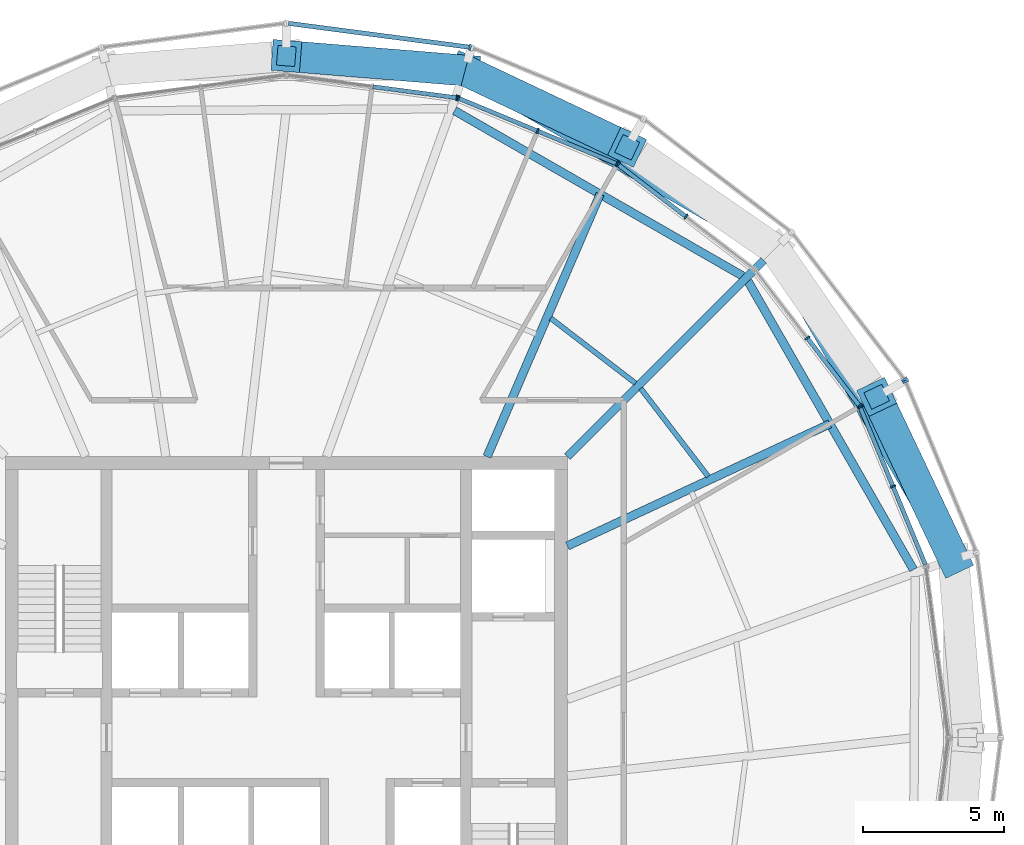
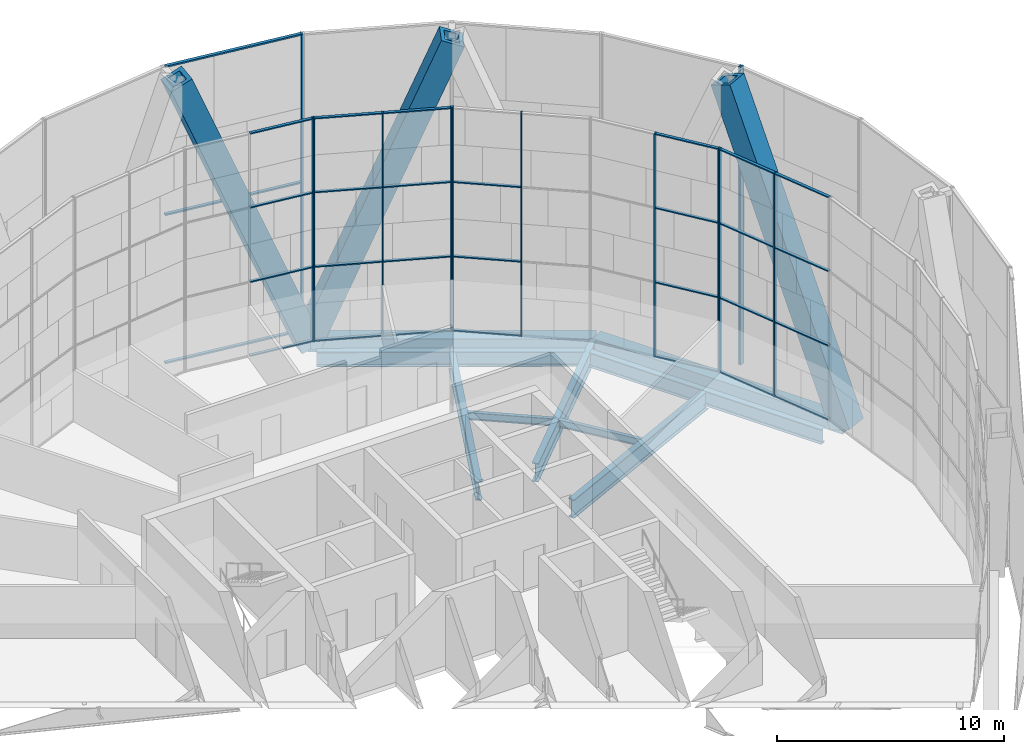
# One storey, part 9 of 26: 46 members, 9 beams, 8 elements without a shape of their own.
"""IFC4 building model written with IfcOpenShell, lengths in metres."""

from ifc_helpers import new_model, si_unit, direction, frame, origin, origin_2d, place, context, subcontext, project, spatial, rectangle, hollow_rectangle, i_section, extrude, material, material_profile, profile_set, type_object, element, aggregate, save


model = new_model("IFC4")

# Units and contexts
model_context = context("Model", 3, precision=1e-05, world=origin(), true_north=direction((0.0, 1.0)))
body_context = subcontext(model_context, "Body", "Model", "MODEL_VIEW")
ifc_project = project(units=[si_unit("LENGTHUNIT", "METRE"), si_unit("AREAUNIT", "SQUARE_METRE"), si_unit("VOLUMEUNIT", "CUBIC_METRE"), si_unit("PLANEANGLEUNIT", "RADIAN"), si_unit("MASSUNIT", "GRAM", prefix="KILO")], contexts=[model_context])

# Site, building, storey
site_placement = place(None, origin())
site = spatial("IfcSite", under=ifc_project, at=site_placement, CompositionType="ELEMENT")
building_placement = place(site_placement, origin())
building = spatial("IfcBuilding", under=site, at=building_placement, Name="Golbaran Civic Tower", CompositionType="ELEMENT")
storey_placement = place(building_placement, frame((0.0, 0.0, 199.0)))
storey = spatial("IfcBuildingStorey", under=building, at=storey_placement, Name="L48", CompositionType="ELEMENT", Elevation=199.0)

# Members
ifc_material_1 = material(Name="Steel S355", Category="steel")
ifc_material_profile_1 = material_profile(ifc_material_1, hollow_rectangle(XDim=1.10009765625, YDim=1.10009765625, WallThickness=0.199951171875, at=origin_2d()), Name="BOX 1100x1100x200")
ifc_profile_set_1 = profile_set([ifc_material_profile_1], Name="Steel S355")
member_type_1 = type_object("IfcMemberType", Name="DIAGRID DIAGONAL BOX 1100x1100x200", PredefinedType="BRACE", material=ifc_profile_set_1)
for number, where, z_axis, x_axis, name in (
    (1, (23.740478515625, 6.361328125, -0.7099609375), (-0.158722749986, 0.334764832099, 0.92883776615), (-0.903581210236, -0.428416849002, 0.0), "Diagonal D11-00R L48-L52"),
    (2, (6.361328125, 23.740478515625, -0.7099609375), (-0.369288121894, 0.029933086945, 0.928832758538), (-0.080791217773, -0.996731046537, 0.0), "Diagonal D11-02R L48-L52"),
    (3, (6.361328125, 23.740478515625, -0.7099609375), (0.334764832099, -0.158722749986, 0.92883776615), (0.428416849002, 0.903581210236, 0.0), "Diagonal D11-02L L48-L52"),
):
    element("IfcMember", number, at=place(storey_placement, frame(where, z_axis=z_axis, x_axis=x_axis)), inside=storey, type_object=member_type_1, Name=name, PredefinedType="BRACE", context=body_context, shape_type="SweptSolid", body=[
        extrude(hollow_rectangle(XDim=1.10009765625, YDim=1.10009765625, WallThickness=0.199951171875, at=origin_2d()), origin(), (0.0, 0.0, 1.0), 17.225830078125),
    ])

# Beams
ifc_material_profile_2 = material_profile(ifc_material_1, hollow_rectangle(XDim=0.699951171875, YDim=0.699951171875, WallThickness=0.080078125, at=origin_2d()), Name="BOX 700x700x80")
ifc_profile_set_2 = profile_set([ifc_material_profile_2], Name="Steel S355")
beam_type_1 = type_object("IfcBeamType", Name="DIAGRID RING TIE BOX 700x700x80", PredefinedType="BEAM", material=ifc_profile_set_2)
for number, where, z_axis, x_axis, name in (
    (4, (23.740478515625, 6.361328125, -0.7099609375), (-0.500010933886, 0.86601909101, 0.0), (-0.86601909101, -0.500010933886, 0.0), "Ring tie 15.00 L48"),
    (5, (17.379150390625, 17.379150390625, -0.7099609375), (-0.86601909101, 0.500010933886, 0.0), (-0.500010933886, -0.86601909101, 0.0), "Ring tie 45.00 L48"),
):
    element("IfcBeam", number, at=place(storey_placement, frame(where, z_axis=z_axis, x_axis=x_axis)), inside=storey, type_object=beam_type_1, Name=name, PredefinedType="BEAM", context=body_context, shape_type="SweptSolid", body=[
        extrude(hollow_rectangle(XDim=0.699951171875, YDim=0.699951171875, WallThickness=0.080078125, at=origin_2d()), origin(), (0.0, 0.0, 1.0), 12.722412109375),
    ])
ifc_material_profile_3 = material_profile(ifc_material_1, i_section(OverallWidth=0.300048828125, OverallDepth=0.800048828125, WebThickness=0.017578125, FlangeThickness=0.032958984375, FilletRadius=0.030029296875, at=origin_2d()), Name="HEB 800")
ifc_profile_set_3 = profile_set([ifc_material_profile_3], Name="Steel S355")
beam_type_2 = type_object("IfcBeamType", Name="EDGE BEAM HEB 800", PredefinedType="BEAM", material=ifc_profile_set_3)
beam_1_placement = place(storey_placement, frame((22.313720703125, 5.980712890625, -0.60009765625), z_axis=(-0.497642733506, 0.867382101377, 0.0), x_axis=(-0.867382101377, -0.497642733506, 0.0)))
element("IfcBeam", 6, at=beam_1_placement, inside=storey, type_object=beam_type_2, Name="Edge beam 15.00 L48", PredefinedType="BEAM", context=body_context, shape_type="SweptSolid", body=[
    extrude(i_section(OverallWidth=0.300048828125, OverallDepth=0.800048828125, WebThickness=0.017578125, FlangeThickness=0.032958984375, FilletRadius=0.030029296875, at=origin_2d()), origin(), (0.0, 0.0, 1.0), 11.83056640625),
])
beam_2_placement = place(storey_placement, frame((16.242431640625, 16.42626953125, -0.60009765625), z_axis=(-0.867321764975, 0.497747883975, 0.0), x_axis=(-0.497747883975, -0.867321764975, 0.0)))
element("IfcBeam", 7, at=beam_2_placement, inside=storey, type_object=beam_type_2, Name="Edge beam 45.00 L48", PredefinedType="BEAM", context=body_context, shape_type="SweptSolid", body=[
    extrude(i_section(OverallWidth=0.300048828125, OverallDepth=0.800048828125, WebThickness=0.017578125, FlangeThickness=0.032958984375, FilletRadius=0.030029296875, at=origin_2d()), origin(), (0.0, 0.0, 1.0), 11.82470703125),
])
ifc_material_profile_4 = material_profile(ifc_material_1, i_section(OverallWidth=0.179931640625, OverallDepth=0.39990234375, WebThickness=0.008544921875, FlangeThickness=0.013427734375, FilletRadius=0.02099609375, at=origin_2d()), Name="IPE 400")
ifc_profile_set_4 = profile_set([ifc_material_profile_4], Name="Steel S355")
beam_type_3 = type_object("IfcBeamType", Name="FLOOR INFILL BEAM IPE 400", PredefinedType="BEAM", material=ifc_profile_set_4)
beam_3_placement = place(storey_placement, frame((15.01123046875, 9.295654296875, -0.39990234375), z_axis=(-0.608726401363, 0.79338021672, 0.0), x_axis=(-0.79338021672, -0.608726401363, 0.0)))
element("IfcBeam", 8, at=beam_3_placement, inside=storey, type_object=beam_type_3, Name="Infill beam 37.50 L48", PredefinedType="BEAM", context=body_context, shape_type="SweptSolid", body=[
    extrude(i_section(OverallWidth=0.179931640625, OverallDepth=0.39990234375, WebThickness=0.008544921875, FlangeThickness=0.013427734375, FilletRadius=0.02099609375, at=origin_2d()), origin(), (0.0, 0.0, 1.0), 3.9453125),
])
beam_4_placement = place(storey_placement, frame((12.42578125, 12.609619140625, -0.39990234375), z_axis=(-0.793338867189, 0.608780290258, 0.0), x_axis=(-0.608780290258, -0.793338867189, 0.0)))
element("IfcBeam", 9, at=beam_4_placement, inside=storey, type_object=beam_type_3, Name="Infill beam 52.50 L48", PredefinedType="BEAM", context=body_context, shape_type="SweptSolid", body=[
    extrude(i_section(OverallWidth=0.179931640625, OverallDepth=0.39990234375, WebThickness=0.008544921875, FlangeThickness=0.013427734375, FilletRadius=0.02099609375, at=origin_2d()), origin(), (0.0, 0.0, 1.0), 3.805908203125),
])

# Curtain wall, members
ifc_material_2 = material(Name="Aluminium and glass", Category="aluminium")
curtain_wall_type_1 = type_object("IfcCurtainWallType", Name="INNER SKIN CURTAIN WALL EXECUTIVE", PredefinedType="NOTDEFINED", material=ifc_material_2)
curtain_wall_1_placement = place(storey_placement, origin())
curtain_wall_1 = element("IfcCurtainWall", 10, at=curtain_wall_1_placement, inside=storey, type_object=curtain_wall_type_1, Name="Inner skin L48 facet 2 CW2", ObjectType="INNER SKIN", PredefinedType="USERDEFINED")
ifc_material_3 = material(Name="Aluminium", Category="aluminium")
ifc_material_profile_5 = material_profile(ifc_material_3, rectangle(XDim=0.199951171875, YDim=0.06005859375, at=origin_2d()), Name="INNER SKIN CURTAIN WALL EXECUTIVE MULLION")
ifc_profile_set_5 = profile_set([ifc_material_profile_5], Name="Aluminium")
member_type_2 = type_object("IfcMemberType", Name="INNER SKIN CURTAIN WALL EXECUTIVE MULLION", PredefinedType="MULLION", material=ifc_profile_set_5)
member_1_placement = place(storey_placement, frame((21.5869140625, 8.941650390625, 0.0), z_axis=(0.0, 0.0, 1.0), x_axis=(-0.923879532518, -0.382683432349, 0.0)))
member_1 = element("IfcMember", 11, at=member_1_placement, type_object=member_type_2, Name="CW2 mullion 2", PredefinedType="MULLION", context=body_context, shape_type="SweptSolid", body=[
    extrude(rectangle(XDim=0.199951171875, YDim=0.06005859375, at=origin_2d()), origin(), (0.0, 0.0, 1.0), 12.0),
])
member_2_placement = place(storey_placement, frame((20.421142578125, 11.755859375, 0.0), z_axis=(0.0, 0.0, 1.0), x_axis=(-0.923879532518, -0.382683432349, 0.0)))
member_2 = element("IfcMember", 12, at=member_2_placement, type_object=member_type_2, Name="CW2 mullion 3", PredefinedType="MULLION", context=body_context, shape_type="SweptSolid", body=[
    extrude(rectangle(XDim=0.199951171875, YDim=0.06005859375, at=origin_2d()), origin(), (0.0, 0.0, 1.0), 12.0),
])

curtain_wall_2_placement = place(storey_placement, origin())
curtain_wall_2 = element("IfcCurtainWall", 13, at=curtain_wall_2_placement, inside=storey, type_object=curtain_wall_type_1, Name="Inner skin L48 facet 3 CW2", ObjectType="INNER SKIN", PredefinedType="USERDEFINED")
member_3_placement = place(storey_placement, frame((20.391357421875, 11.807373046875, 0.0), z_axis=(0.0, 0.0, 1.0), x_axis=(-0.793353340259, -0.60876142905, 0.0)))
member_3 = element("IfcMember", 14, at=member_3_placement, type_object=member_type_2, Name="CW2 mullion 1", PredefinedType="MULLION", context=body_context, shape_type="SweptSolid", body=[
    extrude(rectangle(XDim=0.199951171875, YDim=0.06005859375, at=origin_2d()), origin(), (0.0, 0.0, 1.0), 12.0),
])
member_4_placement = place(storey_placement, frame((18.537109375, 14.223876953125, 0.0), z_axis=(0.0, 0.0, 1.0), x_axis=(-0.793353340259, -0.60876142905, 0.0)))
member_4 = element("IfcMember", 15, at=member_4_placement, type_object=member_type_2, Name="CW2 mullion 2", PredefinedType="MULLION", context=body_context, shape_type="SweptSolid", body=[
    extrude(rectangle(XDim=0.199951171875, YDim=0.06005859375, at=origin_2d()), origin(), (0.0, 0.0, 1.0), 12.0),
])

curtain_wall_3_placement = place(storey_placement, origin())
curtain_wall_3 = element("IfcCurtainWall", 16, at=curtain_wall_3_placement, inside=storey, type_object=curtain_wall_type_1, Name="Inner skin L48 facet 4 CW2", ObjectType="INNER SKIN", PredefinedType="USERDEFINED")
member_5_placement = place(storey_placement, frame((14.223876953125, 18.537109375, 0.0), z_axis=(0.0, 0.0, 1.0), x_axis=(-0.60876142905, -0.793353340259, 0.0)))
member_5 = element("IfcMember", 17, at=member_5_placement, type_object=member_type_2, Name="CW2 mullion 2", PredefinedType="MULLION", context=body_context, shape_type="SweptSolid", body=[
    extrude(rectangle(XDim=0.199951171875, YDim=0.06005859375, at=origin_2d()), origin(), (0.0, 0.0, 1.0), 12.0),
])
member_6_placement = place(storey_placement, frame((11.807373046875, 20.391357421875, 0.0), z_axis=(0.0, 0.0, 1.0), x_axis=(-0.60876142905, -0.793353340259, 0.0)))
member_6 = element("IfcMember", 18, at=member_6_placement, type_object=member_type_2, Name="CW2 mullion 3", PredefinedType="MULLION", context=body_context, shape_type="SweptSolid", body=[
    extrude(rectangle(XDim=0.199951171875, YDim=0.06005859375, at=origin_2d()), origin(), (0.0, 0.0, 1.0), 12.0),
])

curtain_wall_4_placement = place(storey_placement, origin())
curtain_wall_4 = element("IfcCurtainWall", 19, at=curtain_wall_4_placement, inside=storey, type_object=curtain_wall_type_1, Name="Inner skin L48 facet 5 CW2", ObjectType="INNER SKIN", PredefinedType="USERDEFINED")
member_7_placement = place(storey_placement, frame((11.755859375, 20.421142578125, 0.0), z_axis=(0.0, 0.0, 1.0), x_axis=(-0.382683432349, -0.923879532518, 0.0)))
member_7 = element("IfcMember", 20, at=member_7_placement, type_object=member_type_2, Name="CW2 mullion 1", PredefinedType="MULLION", context=body_context, shape_type="SweptSolid", body=[
    extrude(rectangle(XDim=0.199951171875, YDim=0.06005859375, at=origin_2d()), origin(), (0.0, 0.0, 1.0), 12.0),
])
member_8_placement = place(storey_placement, frame((8.941650390625, 21.5869140625, 0.0), z_axis=(0.0, 0.0, 1.0), x_axis=(-0.382683432349, -0.923879532518, 0.0)))
member_8 = element("IfcMember", 21, at=member_8_placement, type_object=member_type_2, Name="CW2 mullion 2", PredefinedType="MULLION", context=body_context, shape_type="SweptSolid", body=[
    extrude(rectangle(XDim=0.199951171875, YDim=0.06005859375, at=origin_2d()), origin(), (0.0, 0.0, 1.0), 12.0),
])
member_9_placement = place(storey_placement, frame((6.127197265625, 22.75244140625, 0.0), z_axis=(0.0, 0.0, 1.0), x_axis=(-0.382683432349, -0.923879532518, 0.0)))
member_9 = element("IfcMember", 22, at=member_9_placement, type_object=member_type_2, Name="CW2 mullion 3", PredefinedType="MULLION", context=body_context, shape_type="SweptSolid", body=[
    extrude(rectangle(XDim=0.199951171875, YDim=0.06005859375, at=origin_2d()), origin(), (0.0, 0.0, 1.0), 12.0),
])

# Curtain wall, member
curtain_wall_5_placement = place(storey_placement, origin())
curtain_wall_5 = element("IfcCurtainWall", 23, at=curtain_wall_5_placement, inside=storey, type_object=curtain_wall_type_1, Name="Inner skin L48 facet 6 CW2", ObjectType="INNER SKIN", PredefinedType="USERDEFINED")
member_10_placement = place(storey_placement, frame((6.06982421875, 22.767822265625, 0.0), z_axis=(0.0, 0.0, 1.0), x_axis=(-0.130526192237, -0.991444861372, 0.0)))
member_10 = element("IfcMember", 24, at=member_10_placement, type_object=member_type_2, Name="CW2 mullion 1", PredefinedType="MULLION", context=body_context, shape_type="SweptSolid", body=[
    extrude(rectangle(XDim=0.199951171875, YDim=0.06005859375, at=origin_2d()), origin(), (0.0, 0.0, 1.0), 12.0),
])

# Member
ifc_material_profile_6 = material_profile(ifc_material_3, rectangle(XDim=0.14990234375, YDim=0.06005859375, at=origin_2d()), Name="INNER SKIN CURTAIN WALL EXECUTIVE TRANSOM")
ifc_profile_set_6 = profile_set([ifc_material_profile_6], Name="Aluminium")
member_type_3 = type_object("IfcMemberType", Name="INNER SKIN CURTAIN WALL EXECUTIVE TRANSOM", PredefinedType="USERDEFINED", material=ifc_profile_set_6)
member_11_placement = place(storey_placement, frame((22.740966796875, 6.155029296875, 0.030029296875), z_axis=(-0.382640634603, 0.923897258763, 0.0), x_axis=(-0.923897258763, -0.382640634603, 0.0)))
member_11 = element("IfcMember", 25, at=member_11_placement, type_object=member_type_3, Name="CW2 transom 1.1", ObjectType="TRANSOM", PredefinedType="USERDEFINED", context=body_context, shape_type="SweptSolid", body=[
    extrude(rectangle(XDim=0.14990234375, YDim=0.06005859375, at=origin_2d()), origin(), (0.0, 0.0, 1.0), 2.986083984375),
])

member_12_placement = place(storey_placement, frame((22.740966796875, 6.155029296875, 4.0), z_axis=(-0.382640634603, 0.923897258763, 0.0), x_axis=(-0.923897258763, -0.382640634603, 0.0)))
member_12 = element("IfcMember", 26, at=member_12_placement, type_object=member_type_3, Name="CW2 transom 1.2", ObjectType="TRANSOM", PredefinedType="USERDEFINED", context=body_context, shape_type="SweptSolid", body=[
    extrude(rectangle(XDim=0.14990234375, YDim=0.06005859375, at=origin_2d()), origin(), (0.0, 0.0, 1.0), 2.986083984375),
])

member_13_placement = place(storey_placement, frame((22.740966796875, 6.155029296875, 8.0), z_axis=(-0.382640634603, 0.923897258763, 0.0), x_axis=(-0.923897258763, -0.382640634603, 0.0)))
member_13 = element("IfcMember", 27, at=member_13_placement, type_object=member_type_3, Name="CW2 transom 1.3", ObjectType="TRANSOM", PredefinedType="USERDEFINED", context=body_context, shape_type="SweptSolid", body=[
    extrude(rectangle(XDim=0.14990234375, YDim=0.06005859375, at=origin_2d()), origin(), (0.0, 0.0, 1.0), 2.986083984375),
])

member_14_placement = place(storey_placement, frame((22.740966796875, 6.155029296875, 11.969970703125), z_axis=(-0.382640634603, 0.923897258763, 0.0), x_axis=(-0.923897258763, -0.382640634603, 0.0)))
member_14 = element("IfcMember", 28, at=member_14_placement, type_object=member_type_3, Name="CW2 transom 1.4", ObjectType="TRANSOM", PredefinedType="USERDEFINED", context=body_context, shape_type="SweptSolid", body=[
    extrude(rectangle(XDim=0.14990234375, YDim=0.06005859375, at=origin_2d()), origin(), (0.0, 0.0, 1.0), 2.986083984375),
])

member_15_placement = place(storey_placement, frame((21.5751953125, 8.96923828125, 0.030029296875), z_axis=(-0.382640634603, 0.923897258763, 0.0), x_axis=(-0.923897258763, -0.382640634603, 0.0)))
member_15 = element("IfcMember", 29, at=member_15_placement, type_object=member_type_3, Name="CW2 transom 2.1", ObjectType="TRANSOM", PredefinedType="USERDEFINED", context=body_context, shape_type="SweptSolid", body=[
    extrude(rectangle(XDim=0.14990234375, YDim=0.06005859375, at=origin_2d()), origin(), (0.0, 0.0, 1.0), 2.986083984375),
])

member_16_placement = place(storey_placement, frame((21.5751953125, 8.96923828125, 4.0), z_axis=(-0.382640634603, 0.923897258763, 0.0), x_axis=(-0.923897258763, -0.382640634603, 0.0)))
member_16 = element("IfcMember", 30, at=member_16_placement, type_object=member_type_3, Name="CW2 transom 2.2", ObjectType="TRANSOM", PredefinedType="USERDEFINED", context=body_context, shape_type="SweptSolid", body=[
    extrude(rectangle(XDim=0.14990234375, YDim=0.06005859375, at=origin_2d()), origin(), (0.0, 0.0, 1.0), 2.986083984375),
])

member_17_placement = place(storey_placement, frame((21.5751953125, 8.96923828125, 8.0), z_axis=(-0.382640634603, 0.923897258763, 0.0), x_axis=(-0.923897258763, -0.382640634603, 0.0)))
member_17 = element("IfcMember", 31, at=member_17_placement, type_object=member_type_3, Name="CW2 transom 2.3", ObjectType="TRANSOM", PredefinedType="USERDEFINED", context=body_context, shape_type="SweptSolid", body=[
    extrude(rectangle(XDim=0.14990234375, YDim=0.06005859375, at=origin_2d()), origin(), (0.0, 0.0, 1.0), 2.986083984375),
])

member_18_placement = place(storey_placement, frame((21.5751953125, 8.96923828125, 11.969970703125), z_axis=(-0.382640634603, 0.923897258763, 0.0), x_axis=(-0.923897258763, -0.382640634603, 0.0)))
member_18 = element("IfcMember", 32, at=member_18_placement, type_object=member_type_3, Name="CW2 transom 2.4", ObjectType="TRANSOM", PredefinedType="USERDEFINED", context=body_context, shape_type="SweptSolid", body=[
    extrude(rectangle(XDim=0.14990234375, YDim=0.06005859375, at=origin_2d()), origin(), (0.0, 0.0, 1.0), 2.986083984375),
])

aggregate(curtain_wall_1, [member_1, member_2, member_11, member_12, member_13, member_14, member_15, member_16, member_17, member_18])

member_19_placement = place(storey_placement, frame((20.373046875, 11.8310546875, 0.030029296875), z_axis=(-0.608754168716, 0.793358911257, 0.0), x_axis=(-0.793358911257, -0.608754168716, 0.0)))
member_19 = element("IfcMember", 33, at=member_19_placement, type_object=member_type_3, Name="CW2 transom 1.1", ObjectType="TRANSOM", PredefinedType="USERDEFINED", context=body_context, shape_type="SweptSolid", body=[
    extrude(rectangle(XDim=0.14990234375, YDim=0.06005859375, at=origin_2d()), origin(), (0.0, 0.0, 1.0), 2.986328125),
])

member_20_placement = place(storey_placement, frame((20.373046875, 11.8310546875, 4.0), z_axis=(-0.608754168716, 0.793358911257, 0.0), x_axis=(-0.793358911257, -0.608754168716, 0.0)))
member_20 = element("IfcMember", 34, at=member_20_placement, type_object=member_type_3, Name="CW2 transom 1.2", ObjectType="TRANSOM", PredefinedType="USERDEFINED", context=body_context, shape_type="SweptSolid", body=[
    extrude(rectangle(XDim=0.14990234375, YDim=0.06005859375, at=origin_2d()), origin(), (0.0, 0.0, 1.0), 2.986328125),
])

member_21_placement = place(storey_placement, frame((20.373046875, 11.8310546875, 8.0), z_axis=(-0.608754168716, 0.793358911257, 0.0), x_axis=(-0.793358911257, -0.608754168716, 0.0)))
member_21 = element("IfcMember", 35, at=member_21_placement, type_object=member_type_3, Name="CW2 transom 1.3", ObjectType="TRANSOM", PredefinedType="USERDEFINED", context=body_context, shape_type="SweptSolid", body=[
    extrude(rectangle(XDim=0.14990234375, YDim=0.06005859375, at=origin_2d()), origin(), (0.0, 0.0, 1.0), 2.986328125),
])

member_22_placement = place(storey_placement, frame((20.373046875, 11.8310546875, 11.969970703125), z_axis=(-0.608754168716, 0.793358911257, 0.0), x_axis=(-0.793358911257, -0.608754168716, 0.0)))
member_22 = element("IfcMember", 36, at=member_22_placement, type_object=member_type_3, Name="CW2 transom 1.4", ObjectType="TRANSOM", PredefinedType="USERDEFINED", context=body_context, shape_type="SweptSolid", body=[
    extrude(rectangle(XDim=0.14990234375, YDim=0.06005859375, at=origin_2d()), origin(), (0.0, 0.0, 1.0), 2.986328125),
])

aggregate(curtain_wall_2, [member_3, member_4, member_19, member_20, member_21, member_22])

member_23_placement = place(storey_placement, frame((14.2001953125, 18.55517578125, 0.030029296875), z_axis=(-0.793358911257, 0.608754168716, 0.0), x_axis=(-0.608754168716, -0.793358911257, 0.0)))
member_23 = element("IfcMember", 37, at=member_23_placement, type_object=member_type_3, Name="CW2 transom 2.1", ObjectType="TRANSOM", PredefinedType="USERDEFINED", context=body_context, shape_type="SweptSolid", body=[
    extrude(rectangle(XDim=0.14990234375, YDim=0.06005859375, at=origin_2d()), origin(), (0.0, 0.0, 1.0), 2.986328125),
])

member_24_placement = place(storey_placement, frame((14.2001953125, 18.55517578125, 4.0), z_axis=(-0.793358911257, 0.608754168716, 0.0), x_axis=(-0.608754168716, -0.793358911257, 0.0)))
member_24 = element("IfcMember", 38, at=member_24_placement, type_object=member_type_3, Name="CW2 transom 2.2", ObjectType="TRANSOM", PredefinedType="USERDEFINED", context=body_context, shape_type="SweptSolid", body=[
    extrude(rectangle(XDim=0.14990234375, YDim=0.06005859375, at=origin_2d()), origin(), (0.0, 0.0, 1.0), 2.986328125),
])

member_25_placement = place(storey_placement, frame((14.2001953125, 18.55517578125, 8.0), z_axis=(-0.793358911257, 0.608754168716, 0.0), x_axis=(-0.608754168716, -0.793358911257, 0.0)))
member_25 = element("IfcMember", 39, at=member_25_placement, type_object=member_type_3, Name="CW2 transom 2.3", ObjectType="TRANSOM", PredefinedType="USERDEFINED", context=body_context, shape_type="SweptSolid", body=[
    extrude(rectangle(XDim=0.14990234375, YDim=0.06005859375, at=origin_2d()), origin(), (0.0, 0.0, 1.0), 2.986328125),
])

aggregate(curtain_wall_3, [member_5, member_6, member_23, member_24, member_25])

member_26_placement = place(storey_placement, frame((11.72802734375, 20.4326171875, 0.030029296875), z_axis=(-0.923897258763, 0.382640634603, 0.0), x_axis=(-0.382640634603, -0.923897258763, 0.0)))
member_26 = element("IfcMember", 40, at=member_26_placement, type_object=member_type_3, Name="CW2 transom 1.1", ObjectType="TRANSOM", PredefinedType="USERDEFINED", context=body_context, shape_type="SweptSolid", body=[
    extrude(rectangle(XDim=0.14990234375, YDim=0.06005859375, at=origin_2d()), origin(), (0.0, 0.0, 1.0), 2.986083984375),
])

member_27_placement = place(storey_placement, frame((11.72802734375, 20.4326171875, 4.0), z_axis=(-0.923897258763, 0.382640634603, 0.0), x_axis=(-0.382640634603, -0.923897258763, 0.0)))
member_27 = element("IfcMember", 41, at=member_27_placement, type_object=member_type_3, Name="CW2 transom 1.2", ObjectType="TRANSOM", PredefinedType="USERDEFINED", context=body_context, shape_type="SweptSolid", body=[
    extrude(rectangle(XDim=0.14990234375, YDim=0.06005859375, at=origin_2d()), origin(), (0.0, 0.0, 1.0), 2.986083984375),
])

member_28_placement = place(storey_placement, frame((11.72802734375, 20.4326171875, 8.0), z_axis=(-0.923897258763, 0.382640634603, 0.0), x_axis=(-0.382640634603, -0.923897258763, 0.0)))
member_28 = element("IfcMember", 42, at=member_28_placement, type_object=member_type_3, Name="CW2 transom 1.3", ObjectType="TRANSOM", PredefinedType="USERDEFINED", context=body_context, shape_type="SweptSolid", body=[
    extrude(rectangle(XDim=0.14990234375, YDim=0.06005859375, at=origin_2d()), origin(), (0.0, 0.0, 1.0), 2.986083984375),
])

member_29_placement = place(storey_placement, frame((11.72802734375, 20.4326171875, 11.969970703125), z_axis=(-0.923897258763, 0.382640634603, 0.0), x_axis=(-0.382640634603, -0.923897258763, 0.0)))
member_29 = element("IfcMember", 43, at=member_29_placement, type_object=member_type_3, Name="CW2 transom 1.4", ObjectType="TRANSOM", PredefinedType="USERDEFINED", context=body_context, shape_type="SweptSolid", body=[
    extrude(rectangle(XDim=0.14990234375, YDim=0.06005859375, at=origin_2d()), origin(), (0.0, 0.0, 1.0), 2.986083984375),
])

member_30_placement = place(storey_placement, frame((8.913818359375, 21.598388671875, 0.030029296875), z_axis=(-0.923897258763, 0.382640634603, 0.0), x_axis=(-0.382640634603, -0.923897258763, 0.0)))
member_30 = element("IfcMember", 44, at=member_30_placement, type_object=member_type_3, Name="CW2 transom 2.1", ObjectType="TRANSOM", PredefinedType="USERDEFINED", context=body_context, shape_type="SweptSolid", body=[
    extrude(rectangle(XDim=0.14990234375, YDim=0.06005859375, at=origin_2d()), origin(), (0.0, 0.0, 1.0), 2.986083984375),
])

member_31_placement = place(storey_placement, frame((8.913818359375, 21.598388671875, 4.0), z_axis=(-0.923897258763, 0.382640634603, 0.0), x_axis=(-0.382640634603, -0.923897258763, 0.0)))
member_31 = element("IfcMember", 45, at=member_31_placement, type_object=member_type_3, Name="CW2 transom 2.2", ObjectType="TRANSOM", PredefinedType="USERDEFINED", context=body_context, shape_type="SweptSolid", body=[
    extrude(rectangle(XDim=0.14990234375, YDim=0.06005859375, at=origin_2d()), origin(), (0.0, 0.0, 1.0), 2.986083984375),
])

member_32_placement = place(storey_placement, frame((8.913818359375, 21.598388671875, 8.0), z_axis=(-0.923897258763, 0.382640634603, 0.0), x_axis=(-0.382640634603, -0.923897258763, 0.0)))
member_32 = element("IfcMember", 46, at=member_32_placement, type_object=member_type_3, Name="CW2 transom 2.3", ObjectType="TRANSOM", PredefinedType="USERDEFINED", context=body_context, shape_type="SweptSolid", body=[
    extrude(rectangle(XDim=0.14990234375, YDim=0.06005859375, at=origin_2d()), origin(), (0.0, 0.0, 1.0), 2.986083984375),
])

member_33_placement = place(storey_placement, frame((8.913818359375, 21.598388671875, 11.969970703125), z_axis=(-0.923897258763, 0.382640634603, 0.0), x_axis=(-0.382640634603, -0.923897258763, 0.0)))
member_33 = element("IfcMember", 47, at=member_33_placement, type_object=member_type_3, Name="CW2 transom 2.4", ObjectType="TRANSOM", PredefinedType="USERDEFINED", context=body_context, shape_type="SweptSolid", body=[
    extrude(rectangle(XDim=0.14990234375, YDim=0.06005859375, at=origin_2d()), origin(), (0.0, 0.0, 1.0), 2.986083984375),
])

aggregate(curtain_wall_4, [member_7, member_8, member_9, member_26, member_27, member_28, member_29, member_30, member_31, member_32, member_33])

member_34_placement = place(storey_placement, frame((6.0400390625, 22.771728515625, 0.030029296875), z_axis=(-0.991438704267, 0.130572951568, 0.0), x_axis=(-0.130572951568, -0.991438704267, 0.0)))
member_34 = element("IfcMember", 48, at=member_34_placement, type_object=member_type_3, Name="CW2 transom 1.1", ObjectType="TRANSOM", PredefinedType="USERDEFINED", context=body_context, shape_type="SweptSolid", body=[
    extrude(rectangle(XDim=0.14990234375, YDim=0.06005859375, at=origin_2d()), origin(), (0.0, 0.0, 1.0), 2.986083984375),
])

member_35_placement = place(storey_placement, frame((6.0400390625, 22.771728515625, 4.0), z_axis=(-0.991438704267, 0.130572951568, 0.0), x_axis=(-0.130572951568, -0.991438704267, 0.0)))
member_35 = element("IfcMember", 49, at=member_35_placement, type_object=member_type_3, Name="CW2 transom 1.2", ObjectType="TRANSOM", PredefinedType="USERDEFINED", context=body_context, shape_type="SweptSolid", body=[
    extrude(rectangle(XDim=0.14990234375, YDim=0.06005859375, at=origin_2d()), origin(), (0.0, 0.0, 1.0), 2.986083984375),
])

member_36_placement = place(storey_placement, frame((6.0400390625, 22.771728515625, 8.0), z_axis=(-0.991438704267, 0.130572951568, 0.0), x_axis=(-0.130572951568, -0.991438704267, 0.0)))
member_36 = element("IfcMember", 50, at=member_36_placement, type_object=member_type_3, Name="CW2 transom 1.3", ObjectType="TRANSOM", PredefinedType="USERDEFINED", context=body_context, shape_type="SweptSolid", body=[
    extrude(rectangle(XDim=0.14990234375, YDim=0.06005859375, at=origin_2d()), origin(), (0.0, 0.0, 1.0), 2.986083984375),
])

member_37_placement = place(storey_placement, frame((6.0400390625, 22.771728515625, 11.969970703125), z_axis=(-0.991438704267, 0.130572951568, 0.0), x_axis=(-0.130572951568, -0.991438704267, 0.0)))
member_37 = element("IfcMember", 51, at=member_37_placement, type_object=member_type_3, Name="CW2 transom 1.4", ObjectType="TRANSOM", PredefinedType="USERDEFINED", context=body_context, shape_type="SweptSolid", body=[
    extrude(rectangle(XDim=0.14990234375, YDim=0.06005859375, at=origin_2d()), origin(), (0.0, 0.0, 1.0), 2.986083984375),
])

aggregate(curtain_wall_5, [member_10, member_34, member_35, member_36, member_37])

# Curtain wall, member
curtain_wall_type_2 = type_object("IfcCurtainWallType", Name="OUTER SKIN TERRACOTTA SCREEN", PredefinedType="NOTDEFINED", material=ifc_material_2)
curtain_wall_6_placement = place(storey_placement, origin())
curtain_wall_6 = element("IfcCurtainWall", 52, at=curtain_wall_6_placement, inside=storey, type_object=curtain_wall_type_2, Name="Outer skin L48 facet 2 CW3", ObjectType="OUTER SKIN", PredefinedType="USERDEFINED")
ifc_material_profile_7 = material_profile(ifc_material_3, rectangle(XDim=0.219970703125, YDim=0.080078125, at=origin_2d()), Name="OUTER SKIN TERRACOTTA SCREEN MULLION")
ifc_profile_set_7 = profile_set([ifc_material_profile_7], Name="Aluminium")
member_type_4 = type_object("IfcMemberType", Name="OUTER SKIN TERRACOTTA SCREEN MULLION", PredefinedType="MULLION", material=ifc_profile_set_7)
member_38_placement = place(storey_placement, frame((22.03662109375, 12.677001953125, -0.7099609375), z_axis=(0.0, 0.0, 1.0), x_axis=(-0.923879532478, -0.382683432446, 0.0)))
member_38 = element("IfcMember", 53, at=member_38_placement, type_object=member_type_4, Name="CW3 mullion 2", PredefinedType="MULLION", context=body_context, shape_type="SweptSolid", body=[
    extrude(rectangle(XDim=0.219970703125, YDim=0.080078125, at=origin_2d()), origin(), (0.0, 0.0, 1.0), 16.0),
])
aggregate(curtain_wall_6, [member_38])

curtain_wall_7_placement = place(storey_placement, origin())
curtain_wall_7 = element("IfcCurtainWall", 54, at=curtain_wall_7_placement, inside=storey, type_object=curtain_wall_type_2, Name="Outer skin L48 facet 3 CW3", ObjectType="OUTER SKIN", PredefinedType="USERDEFINED")
member_39_placement = place(storey_placement, frame((21.996826171875, 12.745849609375, -0.7099609375), z_axis=(0.0, 0.0, 1.0), x_axis=(-0.793353340323, -0.608761428967, 0.0)))
member_39 = element("IfcMember", 55, at=member_39_placement, type_object=member_type_4, Name="CW3 mullion 1", PredefinedType="MULLION", context=body_context, shape_type="SweptSolid", body=[
    extrude(rectangle(XDim=0.219970703125, YDim=0.080078125, at=origin_2d()), origin(), (0.0, 0.0, 1.0), 16.0),
])
aggregate(curtain_wall_7, [member_39])

# Curtain wall, members
curtain_wall_8_placement = place(storey_placement, origin())
curtain_wall_8 = element("IfcCurtainWall", 56, at=curtain_wall_8_placement, inside=storey, type_object=curtain_wall_type_2, Name="Outer skin L48 facet 6 CW3", ObjectType="OUTER SKIN", PredefinedType="USERDEFINED")
member_40_placement = place(storey_placement, frame((6.54150390625, 24.56689453125, -0.7099609375), z_axis=(0.0, 0.0, 1.0), x_axis=(-0.130526192203, -0.991444861376, 0.0)))
member_40 = element("IfcMember", 57, at=member_40_placement, type_object=member_type_4, Name="CW3 mullion 1", PredefinedType="MULLION", context=body_context, shape_type="SweptSolid", body=[
    extrude(rectangle(XDim=0.219970703125, YDim=0.080078125, at=origin_2d()), origin(), (0.0, 0.0, 1.0), 16.0),
])
ifc_material_profile_8 = material_profile(ifc_material_3, rectangle(XDim=0.159912109375, YDim=0.080078125, at=origin_2d()), Name="OUTER SKIN TERRACOTTA SCREEN TRANSOM")
ifc_profile_set_8 = profile_set([ifc_material_profile_8], Name="Aluminium")
member_type_5 = type_object("IfcMemberType", Name="OUTER SKIN TERRACOTTA SCREEN TRANSOM", PredefinedType="USERDEFINED", material=ifc_profile_set_8)
member_41_placement = place(storey_placement, frame((6.501953125, 24.572021484375, -0.669921875), z_axis=(-0.991446725575, 0.130512031424, 0.0), x_axis=(-0.130512031424, -0.991446725575, 0.0)))
member_41 = element("IfcMember", 58, at=member_41_placement, type_object=member_type_5, Name="CW3 transom 1.1", ObjectType="TRANSOM", PredefinedType="USERDEFINED", context=body_context, shape_type="SweptSolid", body=[
    extrude(rectangle(XDim=0.159912109375, YDim=0.080078125, at=origin_2d()), origin(), (0.0, 0.0, 1.0), 6.47802734375),
])
member_42_placement = place(storey_placement, frame((6.501953125, 24.572021484375, 7.2900390625), z_axis=(-0.991446725575, 0.130512031424, 0.0), x_axis=(-0.130512031424, -0.991446725575, 0.0)))
member_42 = element("IfcMember", 59, at=member_42_placement, type_object=member_type_5, Name="CW3 transom 1.2", ObjectType="TRANSOM", PredefinedType="USERDEFINED", context=body_context, shape_type="SweptSolid", body=[
    extrude(rectangle(XDim=0.159912109375, YDim=0.080078125, at=origin_2d()), origin(), (0.0, 0.0, 1.0), 6.47802734375),
])
member_43_placement = place(storey_placement, frame((6.501953125, 24.572021484375, 15.25), z_axis=(-0.991446725575, 0.130512031424, 0.0), x_axis=(-0.130512031424, -0.991446725575, 0.0)))
member_43 = element("IfcMember", 60, at=member_43_placement, type_object=member_type_5, Name="CW3 transom 1.3", ObjectType="TRANSOM", PredefinedType="USERDEFINED", context=body_context, shape_type="SweptSolid", body=[
    extrude(rectangle(XDim=0.159912109375, YDim=0.080078125, at=origin_2d()), origin(), (0.0, 0.0, 1.0), 6.47802734375),
])
aggregate(curtain_wall_8, [member_40, member_41, member_42, member_43])

# Beams
ifc_material_profile_9 = material_profile(ifc_material_1, i_section(OverallWidth=0.300048828125, OverallDepth=1.0, WebThickness=0.01904296875, FlangeThickness=0.035888671875, FilletRadius=0.030029296875, at=origin_2d()), Name="HEB 1000")
ifc_profile_set_9 = profile_set([ifc_material_profile_9], Name="Steel S355")
beam_type_4 = type_object("IfcBeamType", Name="RADIAL FLOOR BEAM HEB 1000", PredefinedType="BEAM", material=ifc_profile_set_9)
beam_5_placement = place(storey_placement, frame((10.0, 10.0, -0.7099609375), z_axis=(0.707106781187, 0.707106781187, 0.0), x_axis=(-0.707106781187, 0.707106781187, 0.0)))
element("IfcBeam", 61, at=beam_5_placement, inside=storey, type_object=beam_type_4, Name="Radial beam 45.00 L48", PredefinedType="BEAM", context=body_context, shape_type="SweptSolid", body=[
    extrude(i_section(OverallWidth=0.300048828125, OverallDepth=1.0, WebThickness=0.01904296875, FlangeThickness=0.035888671875, FilletRadius=0.030029296875, at=origin_2d()), origin(), (0.0, 0.0, 1.0), 9.876708984375),
])
ifc_material_profile_10 = material_profile(ifc_material_1, i_section(OverallWidth=0.300048828125, OverallDepth=1.0, WebThickness=0.01904296875, FlangeThickness=0.035888671875, FilletRadius=0.030029296875, at=origin_2d()), Name="HEB 1000")
ifc_profile_set_10 = profile_set([ifc_material_profile_10], Name="Steel S355")
beam_type_5 = type_object("IfcBeamType", Name="SECONDARY FLOOR BEAM HEB 1000", PredefinedType="BEAM", material=ifc_profile_set_10)
beam_6_placement = place(storey_placement, frame((10.0, 6.821533203125, -0.7099609375), z_axis=(0.906721955045, 0.421728936924, 0.0), x_axis=(-0.421728936924, 0.906721955045, 0.0)))
element("IfcBeam", 62, at=beam_6_placement, inside=storey, type_object=beam_type_5, Name="Secondary beam 30.00 L48", PredefinedType="BEAM", context=body_context, shape_type="SweptSolid", body=[
    extrude(i_section(OverallWidth=0.300048828125, OverallDepth=1.0, WebThickness=0.01904296875, FlangeThickness=0.035888671875, FilletRadius=0.030029296875, at=origin_2d()), origin(), (0.0, 0.0, 1.0), 10.2998046875),
])
beam_7_placement = place(storey_placement, frame((7.142822265625, 10.0, -0.7099609375), z_axis=(0.395602088, 0.918422009737, 0.0), x_axis=(-0.918422009737, 0.395602088, 0.0)))
element("IfcBeam", 63, at=beam_7_placement, inside=storey, type_object=beam_type_5, Name="Secondary beam 60.00 L48", PredefinedType="BEAM", context=body_context, shape_type="SweptSolid", body=[
    extrude(i_section(OverallWidth=0.300048828125, OverallDepth=1.0, WebThickness=0.01904296875, FlangeThickness=0.035888671875, FilletRadius=0.030029296875, at=origin_2d()), origin(), (0.0, 0.0, 1.0), 10.169189453125),
])

save(model, "model.ifc")
